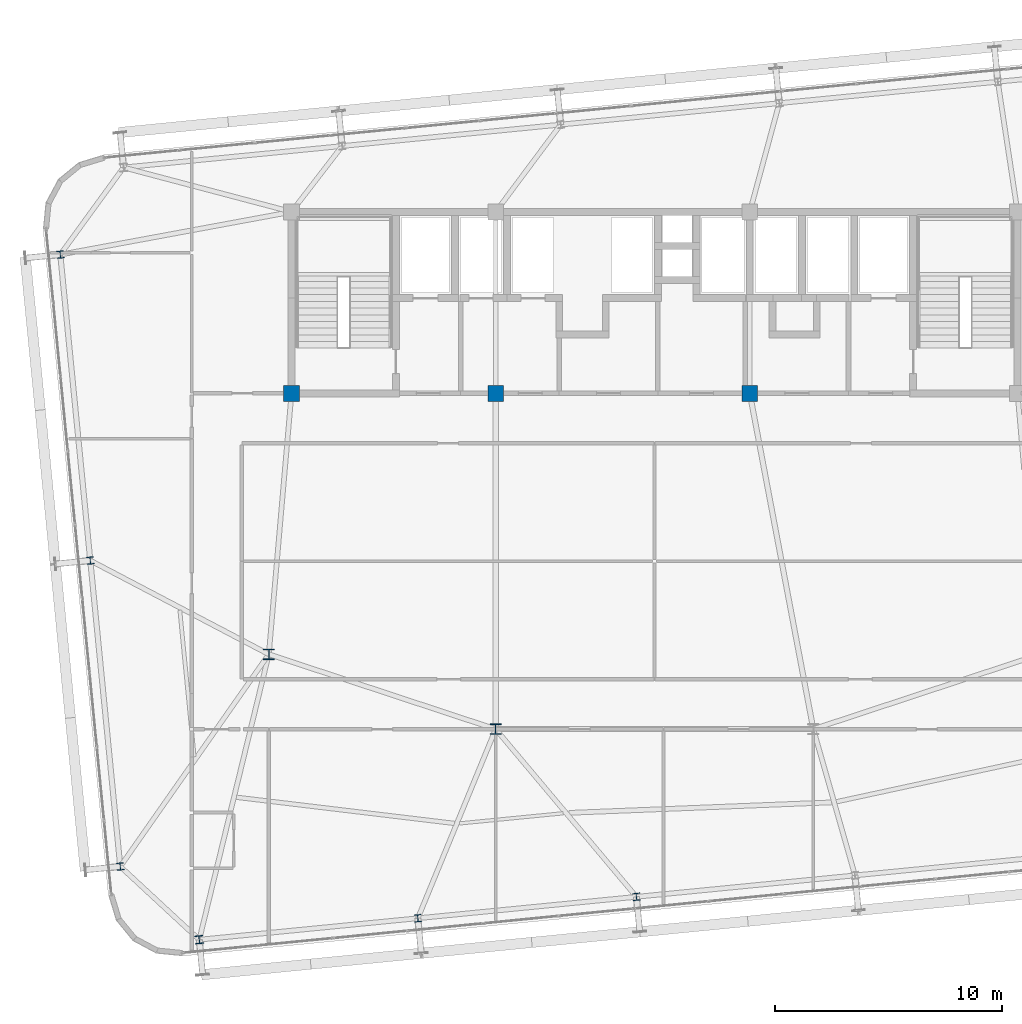
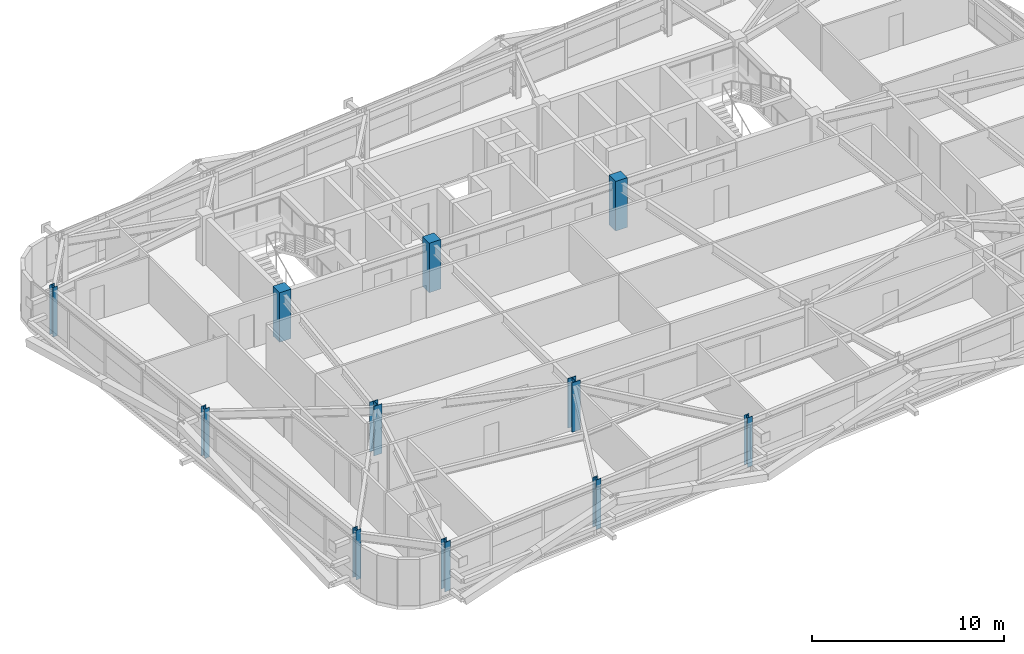
# One storey, part 1 of 52: 11 columns.
"""IFC4 building model written with IfcOpenShell, lengths in metres."""

from ifc_helpers import new_model, si_unit, direction, frame, origin, origin_2d, place, context, subcontext, project, spatial, rectangle, i_section, extrude, source, transform, mapped, material, material_profile, profile_set, type_object, element, save


model = new_model("IFC4")

# Units and contexts
model_context = context("Model", 3, precision=1e-05, world=origin(), true_north=direction((0.0, 1.0)))
body_context = subcontext(model_context, "Body", "Model", "MODEL_VIEW")
ifc_project = project(units=[si_unit("LENGTHUNIT", "METRE"), si_unit("AREAUNIT", "SQUARE_METRE"), si_unit("VOLUMEUNIT", "CUBIC_METRE"), si_unit("PLANEANGLEUNIT", "RADIAN"), si_unit("MASSUNIT", "GRAM", prefix="KILO")], contexts=[model_context])

# Site, building, storey
site_placement = place(None, origin())
site = spatial("IfcSite", under=ifc_project, at=site_placement, CompositionType="ELEMENT")
building_placement = place(site_placement, origin())
building = spatial("IfcBuilding", under=site, at=building_placement, Name="Taldren Reach Tower", CompositionType="ELEMENT")
storey_placement = place(building_placement, frame((0.0, 0.0, 74.550048828125)))
storey = spatial("IfcBuildingStorey", under=building, at=storey_placement, Name="L22", CompositionType="ELEMENT", Elevation=74.550048828125)

# Columns
ifc_material_1 = material(Name="Steel Gr 350 (350PLUS)", Category="steel")
ifc_material_profile_1 = material_profile(ifc_material_1, i_section(OverallWidth=0.5, OverallDepth=0.464111328125, WebThickness=0.02197265625, FlangeThickness=0.033935546875, at=origin_2d()), Name="500WC340")
ifc_profile_set_1 = profile_set([ifc_material_profile_1], Name="Steel Gr 350 (350PLUS)")
column_type_1 = type_object("IfcColumnType", Name="COL-WC500B", PredefinedType="COLUMN", material=ifc_profile_set_1)
shared_shape_1 = source(origin(), body_context, "Body", "SweptSolid", [
    extrude(i_section(OverallWidth=0.5, OverallDepth=0.464111328125, WebThickness=0.02197265625, FlangeThickness=0.033935546875, at=origin_2d()), origin(), (0.0, 0.0, 1.0), 3.14990234375),
])
for number, where, z_axis, x_axis, name in (
    (1, (28.0, 9.199951171875, 0.0), (0.0, 0.0, 1.0), (1.0, 0.0, 0.0), "Mega column MC-PJW L22"),
    (2, (18.0, 12.5, 0.0), (0.0, 0.0, 1.0), (1.0, 0.0, 0.0), "Mega column MC-SW L22"),
):
    element("IfcColumn", number, at=place(storey_placement, frame(where, z_axis=z_axis, x_axis=x_axis)), inside=storey, type_object=column_type_1, Name=name, PredefinedType="COLUMN", context=body_context, shape_type="MappedRepresentation", body=[
        mapped(shared_shape_1, transform((0.0, 0.0, 0.0), scale=1.0)),
    ])
ifc_material_2 = material(Name="Concrete S65 (65 MPa)", Category="concrete")
ifc_material_profile_2 = material_profile(ifc_material_2, rectangle(XDim=0.699951171875, YDim=0.699951171875, at=origin_2d()), Name="RC-700x700")
ifc_profile_set_2 = profile_set([ifc_material_profile_2], Name="Concrete S65 (65 MPa)")
column_type_2 = type_object("IfcColumnType", Name="COL-RC700", PredefinedType="COLUMN", material=ifc_profile_set_2)
shared_shape_2 = source(origin(), body_context, "Body", "SweptSolid", [
    extrude(rectangle(XDim=0.699951171875, YDim=0.699951171875, at=origin_2d()), origin(), (0.0, 0.0, 1.0), 3.14990234375),
])
for number, where, z_axis, x_axis, name in (
    (3, (19.0, 24.0, 0.0), (0.0, 0.0, 1.0), (1.0, 0.0, 0.0), "Mega column MC-C1 L22"),
    (4, (28.0, 24.0, 0.0), (0.0, 0.0, 1.0), (1.0, 0.0, 0.0), "Mega column MC-C2 L22"),
    (5, (39.199951171875, 24.0, 0.0), (0.0, 0.0, 1.0), (1.0, 0.0, 0.0), "Mega column MC-C3 L22"),
):
    element("IfcColumn", number, at=place(storey_placement, frame(where, z_axis=z_axis, x_axis=x_axis)), inside=storey, type_object=column_type_2, Name=name, PredefinedType="COLUMN", context=body_context, shape_type="MappedRepresentation", body=[
        mapped(shared_shape_2, transform((0.0, 0.0, 0.0), scale=1.0)),
    ])
ifc_material_profile_3 = material_profile(ifc_material_1, i_section(OverallWidth=0.35009765625, OverallDepth=0.35595703125, WebThickness=0.01806640625, FlangeThickness=0.028076171875, at=origin_2d()), Name="350WC197")
ifc_profile_set_3 = profile_set([ifc_material_profile_3], Name="Steel Gr 350 (350PLUS)")
column_type_3 = type_object("IfcColumnType", Name="COL-WC350", PredefinedType="COLUMN", material=ifc_profile_set_3)
shared_shape_3 = source(origin(), body_context, "Body", "SweptSolid", [
    extrude(i_section(OverallWidth=0.35009765625, OverallDepth=0.35595703125, WebThickness=0.01806640625, FlangeThickness=0.028076171875, at=origin_2d()), origin(), (0.0, 0.0, 1.0), 3.14990234375),
])
column_placement = place(storey_placement, frame((14.93408203125, -0.079833984375, 0.0), z_axis=(0.0, 0.0, 1.0), x_axis=(0.995227399982, 0.097582899759, 0.0)))
element("IfcColumn", 6, at=column_placement, inside=storey, type_object=column_type_3, Name="Block B2 perimeter column S1 L22", PredefinedType="COLUMN", context=body_context, shape_type="MappedRepresentation", body=[
    mapped(shared_shape_3, transform((0.0, 0.0, 0.0), scale=1.0)),
])
ifc_material_profile_4 = material_profile(ifc_material_1, i_section(OverallWidth=0.306884765625, OverallDepth=0.31494140625, WebThickness=0.011962890625, FlangeThickness=0.018798828125, at=origin_2d()), Name="310UC118")
ifc_profile_set_4 = profile_set([ifc_material_profile_4], Name="Steel Gr 350 (350PLUS)")
column_type_4 = type_object("IfcColumnType", Name="COL-UC310B", PredefinedType="COLUMN", material=ifc_profile_set_4)
shared_shape_4 = source(origin(), body_context, "Body", "SweptSolid", [
    extrude(i_section(OverallWidth=0.306884765625, OverallDepth=0.31494140625, WebThickness=0.011962890625, FlangeThickness=0.018798828125, at=origin_2d()), origin(), (0.0, 0.0, 1.0), 3.14990234375),
])
for number, where, z_axis, x_axis, name in (
    (7, (24.56787109375, 0.86474609375, 0.0), (0.0, 0.0, 1.0), (0.995227399982, 0.097582899759, 0.0), "Block B2 perimeter column S2 L22"),
    (8, (34.20166015625, 1.809326171875, 0.0), (0.0, 0.0, 1.0), (0.995227399982, 0.097582899759, 0.0), "Block B2 perimeter column S3 L22"),
    (9, (11.452880859375, 3.145751953125, 0.0), (0.0, 0.0, 1.0), (0.995227399982, 0.097582899759, 0.0), "Block B2 perimeter column W1 L22"),
    (10, (10.130615234375, 16.631103515625, 0.0), (0.0, 0.0, 1.0), (0.995227399982, 0.097582899759, 0.0), "Block B2 perimeter column W2 L22"),
    (11, (8.808349609375, 30.116455078125, 0.0), (0.0, 0.0, 1.0), (0.995227399982, 0.097582899759, 0.0), "Block B2 perimeter column W3 L22"),
):
    element("IfcColumn", number, at=place(storey_placement, frame(where, z_axis=z_axis, x_axis=x_axis)), inside=storey, type_object=column_type_4, Name=name, PredefinedType="COLUMN", context=body_context, shape_type="MappedRepresentation", body=[
        mapped(shared_shape_4, transform((0.0, 0.0, 0.0), scale=1.0)),
    ])

save(model, "model.ifc")
